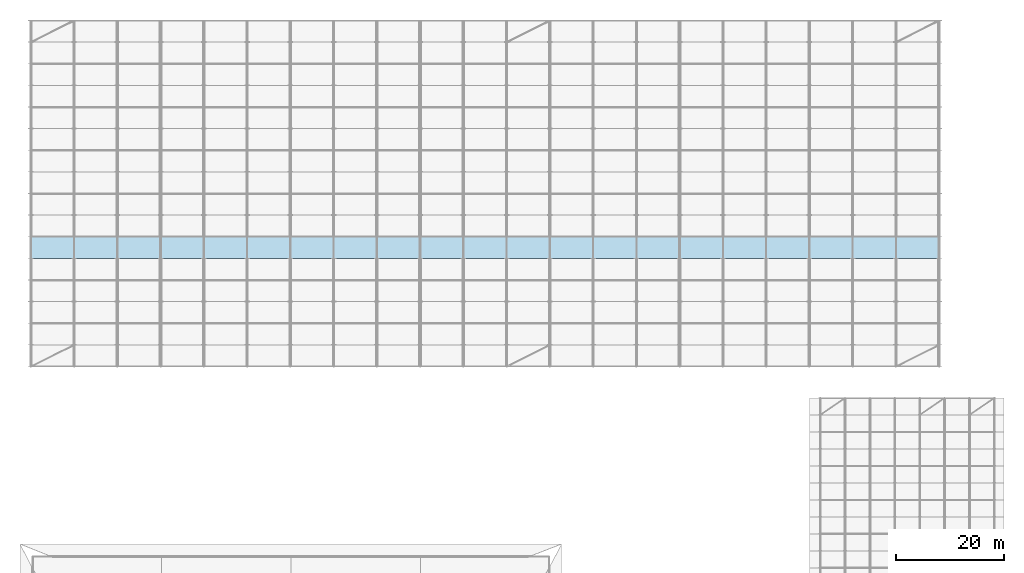
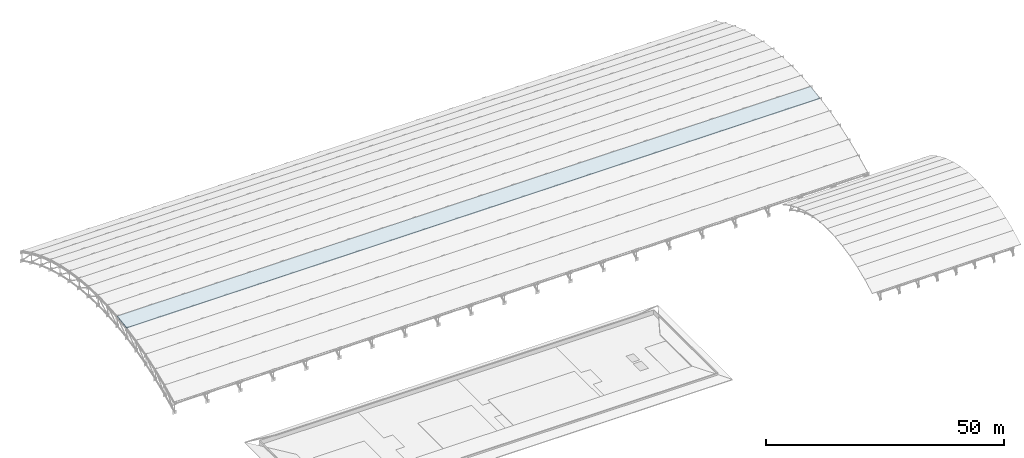
# One storey, part 72 of 98: 1 slab.
"""IFC4 building model written with IfcOpenShell, lengths in metres."""

from ifc_helpers import new_model, si_unit, direction, frame, origin, place, context, subcontext, project, spatial, polyline, outline, extrude, material, layer, layer_set, type_object, element, save


model = new_model("IFC4")

# Units and contexts
model_context = context("Model", 3, precision=1e-05, world=origin(), true_north=direction((0.0, 1.0)))
body_context = subcontext(model_context, "Body", "Model", "MODEL_VIEW")
ifc_project = project(units=[si_unit("LENGTHUNIT", "METRE"), si_unit("AREAUNIT", "SQUARE_METRE"), si_unit("VOLUMEUNIT", "CUBIC_METRE"), si_unit("PLANEANGLEUNIT", "RADIAN"), si_unit("MASSUNIT", "GRAM", prefix="KILO")], contexts=[model_context])

# Site, building, storey
site_placement = place(None, origin())
site = spatial("IfcSite", under=ifc_project, at=site_placement, CompositionType="ELEMENT")
building_placement = place(site_placement, origin())
building = spatial("IfcBuilding", under=site, at=building_placement, Name="Tlacozan Convention Centre", CompositionType="ELEMENT")
storey_placement = place(building_placement, frame((0.0, 0.0, 25.800048828125)))
storey = spatial("IfcBuildingStorey", under=building, at=storey_placement, Name="Roof", CompositionType="ELEMENT", Elevation=25.800048828125)

# Slab
ifc_material = material(Name="Concrete C40/50", Category="concrete")
ifc_layer = layer(ifc_material, 0.179931640625)
ifc_layer_set = layer_set([ifc_layer], Name="Concrete C40/50")
slab_type = type_object("IfcSlabType", Name="Exhibition Arched Roof Deck 180", PredefinedType="ROOF", material=ifc_layer_set)
slab_placement = place(storey_placement, frame((0.0, 82.0, -3.357177734375), z_axis=(0.0, -0.147124064872, 0.98911804631), x_axis=(1.0, 0.0, 0.0)))
element("IfcSlab", 1, at=slab_placement, inside=storey, type_object=slab_type, Name="V2A Arched Roof Facet Slab 6", PredefinedType="ROOF", context=body_context, shape_type="SweptSolid", body=[
    extrude(outline(polyline([(0.0, 0.0), (168.0, 0.0), (168.0, 4.044006693562346), (0.0, 4.044006693562346), (0.0, 0.0)])), origin(), (0.0, 0.0, -1.0), 0.179931640625),
])

save(model, "model.ifc")
